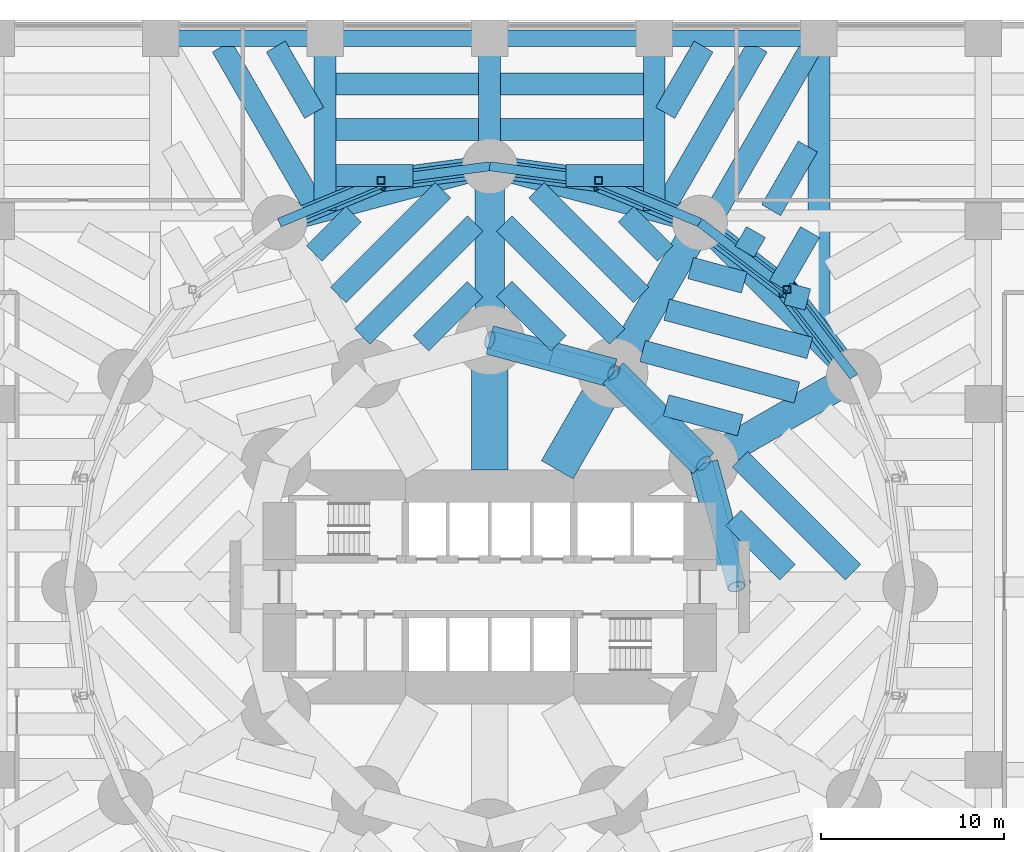
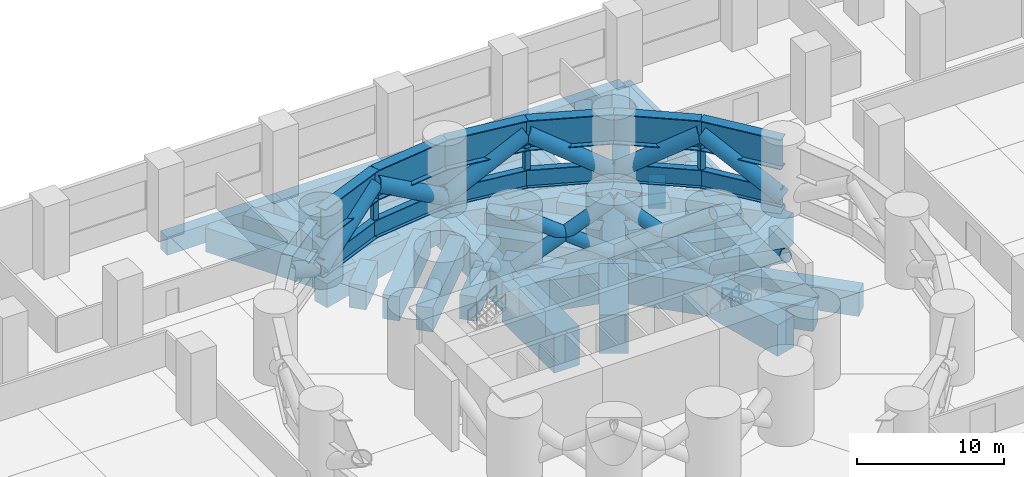
# One storey, part 5 of 14: 60 beams, 14 members.
"""IFC4 building model written with IfcOpenShell, lengths in metres."""

from ifc_helpers import new_model, si_unit, direction, frame, origin, origin_2d, place, context, subcontext, project, spatial, rectangle, hollow_rectangle, hollow_circle, i_section, extrude, material, material_profile, profile_set, type_object, element, save


model = new_model("IFC4")

# Units and contexts
model_context = context("Model", 3, precision=1e-05, world=origin(), true_north=direction((0.0, 1.0)))
body_context = subcontext(model_context, "Body", "Model", "MODEL_VIEW")
ifc_project = project(units=[si_unit("LENGTHUNIT", "METRE"), si_unit("AREAUNIT", "SQUARE_METRE"), si_unit("VOLUMEUNIT", "CUBIC_METRE"), si_unit("PLANEANGLEUNIT", "RADIAN"), si_unit("MASSUNIT", "GRAM", prefix="KILO")], contexts=[model_context])

# Site, building, storey
site_placement = place(None, origin())
site = spatial("IfcSite", under=ifc_project, at=site_placement, CompositionType="ELEMENT")
building_placement = place(site_placement, origin())
building = spatial("IfcBuilding", under=site, at=building_placement, Name="Qaws Media Tower", CompositionType="ELEMENT")
storey_placement = place(building_placement, frame((0.0, 0.0, 20.0)))
storey = spatial("IfcBuildingStorey", under=building, at=storey_placement, Name="L03", CompositionType="ELEMENT", Elevation=20.0)

# Members
ifc_material_1 = material(Name="Steel S355", Category="steel")
ifc_material_profile_1 = material_profile(ifc_material_1, hollow_circle(Radius=0.508056640625, WallThickness=0.050048828125, at=origin_2d()), Name="CHS 1016x50")
ifc_profile_set_1 = profile_set([ifc_material_profile_1], Name="Steel S355")
member_type_1 = type_object("IfcMemberType", Name="Belt truss diagonal CHS 1016x50", PredefinedType="BRACE", material=ifc_profile_set_1)
for number, where, z_axis, x_axis, name in (
    (1, (71.69140625, 56.75, 0.60009765625), (0.217597461166, -0.812113202797, 0.541408801865), (0.965928090778, 0.258810593767, 0.0), "BT1 belt diagonal L03 I02 falling"),
    (2, (71.69140625, 56.75, 0.60009765625), (-0.594509373034, 0.594509373034, 0.541403002162), (-0.707106781187, -0.707106781187, 0.0), "BT1 belt diagonal L03 I02 rising"),
    (3, (66.75, 61.69140625, 0.60009765625), (0.594509373034, -0.594509373034, 0.541403002162), (0.707106781187, 0.707106781187, 0.0), "BT1 belt diagonal L03 I03 falling"),
    (4, (66.75, 61.69140625, 0.60009765625), (-0.812113202797, 0.217597461166, 0.541408801865), (-0.258810593767, -0.965928090778, 0.0), "BT1 belt diagonal L03 I03 rising"),
    (5, (60.0, 63.5, 0.60009765625), (0.812113202797, -0.217597461166, 0.541408801865), (0.258810593767, 0.965928090778, 0.0), "BT1 belt diagonal L03 I04 falling"),
):
    element("IfcMember", number, at=place(storey_placement, frame(where, z_axis=z_axis, x_axis=x_axis)), inside=storey, type_object=member_type_1, Name=name, PredefinedType="BRACE", context=body_context, shape_type="SweptSolid", body=[
        extrude(hollow_circle(Radius=0.508056640625, WallThickness=0.050048828125, at=origin_2d()), origin(), (0.0, 0.0, 1.0), 8.311767578125),
    ])

# Beams
ifc_material_2 = material(Name="Concrete C60/75", Category="concrete")
ifc_material_profile_2 = material_profile(ifc_material_2, rectangle(XDim=2.0, YDim=3.199951171875, at=origin_2d()), Name="RC 2000x3200")
ifc_profile_set_2 = profile_set([ifc_material_profile_2], Name="Concrete C60/75")
beam_type_1 = type_object("IfcBeamType", Name="Podium core beam RC 2000x3200", PredefinedType="BEAM", material=ifc_profile_set_2)
beam_1_placement = place(storey_placement, frame((63.695068359375, 56.39990234375, -1.89990234375), z_axis=(0.49998532359, 0.866033877048, 0.0), x_axis=(-0.866033877048, 0.49998532359, 0.0)))
element("IfcBeam", 6, at=beam_1_placement, inside=storey, type_object=beam_type_1, Name="PB14 beam CORE-I03", PredefinedType="BEAM", context=body_context, shape_type="SweptSolid", body=[
    extrude(rectangle(XDim=2.0, YDim=3.199951171875, at=origin_2d()), origin(), (0.0, 0.0, 1.0), 6.110107421875),
])
beam_2_placement = place(storey_placement, frame((60.0, 56.39990234375, -1.89990234375), z_axis=(0.0, 1.0, 0.0), x_axis=(-1.0, 0.0, 0.0)))
element("IfcBeam", 7, at=beam_2_placement, inside=storey, type_object=beam_type_1, Name="PB14 beam CORE-I04", PredefinedType="BEAM", context=body_context, shape_type="SweptSolid", body=[
    extrude(rectangle(XDim=2.0, YDim=3.199951171875, at=origin_2d()), origin(), (0.0, 0.0, 1.0), 7.10009765625),
])
ifc_material_3 = material(Name="Concrete C60/75", Category="concrete")
ifc_material_profile_3 = material_profile(ifc_material_3, rectangle(XDim=1.199951171875, YDim=2.0, at=origin_2d()), Name="RC 1200x2000")
ifc_profile_set_3 = profile_set([ifc_material_profile_3], Name="Concrete C60/75")
beam_type_2 = type_object("IfcBeamType", Name="Podium long trimmer beam RC 1200x2000", PredefinedType="BEAM", material=ifc_profile_set_3)
beam_3_placement = place(storey_placement, frame((78.0, 80.0, -1.300048828125), z_axis=(0.0, -1.0, 0.0), x_axis=(1.0, 0.0, 0.0)))
element("IfcBeam", 8, at=beam_3_placement, inside=storey, type_object=beam_type_2, Name="PB11 beam 8/G to the tower ring", PredefinedType="BEAM", context=body_context, shape_type="SweptSolid", body=[
    extrude(rectangle(XDim=1.199951171875, YDim=2.0, at=origin_2d()), origin(), (0.0, 0.0, 1.0), 16.581298828125),
])
ifc_material_4 = material(Name="Concrete C60/75", Category="concrete")
ifc_material_profile_4 = material_profile(ifc_material_4, rectangle(XDim=1.199951171875, YDim=2.0, at=origin_2d()), Name="RC 1200x2000")
ifc_profile_set_4 = profile_set([ifc_material_profile_4], Name="Concrete C60/75")
beam_type_3 = type_object("IfcBeamType", Name="Podium plant floor edge beam RC 1200x2000", PredefinedType="BEAM", material=ifc_profile_set_4)
for number, where, z_axis, x_axis, name in (
    (9, (79.918701171875, 61.5, -1.300048828125), (-0.707106781187, 0.707106781187, 0.0), (-0.707106781187, -0.707106781187, 0.0), "PB12 beam M02-M03"),
    (10, (71.5, 69.918701171875, -1.300048828125), (-0.965928280645, 0.258809885148, 0.0), (-0.258809885148, -0.965928280645, 0.0), "PB12 beam M03-M04"),
    (11, (60.0, 73.0, -1.300048828125), (-0.965928280645, -0.258809885148, 0.0), (0.258809885148, -0.965928280645, 0.0), "PB12 beam M04-M05"),
):
    element("IfcBeam", number, at=place(storey_placement, frame(where, z_axis=z_axis, x_axis=x_axis)), inside=storey, type_object=beam_type_3, Name=name, PredefinedType="BEAM", context=body_context, shape_type="SweptSolid", body=[
        extrude(rectangle(XDim=1.199951171875, YDim=2.0, at=origin_2d()), origin(), (0.0, 0.0, 1.0), 11.90576171875),
    ])
ifc_material_5 = material(Name="Concrete C60/75", Category="concrete")
ifc_material_profile_5 = material_profile(ifc_material_5, rectangle(XDim=0.89990234375, YDim=1.5, at=origin_2d()), Name="RC 900x1500")
ifc_profile_set_5 = profile_set([ifc_material_profile_5], Name="Concrete C60/75")
beam_type_4 = type_object("IfcBeamType", Name="Podium plant floor girder RC 900x1500", PredefinedType="BEAM", material=ifc_profile_set_5)
for number, where, z_axis, x_axis, name in (
    (12, (42.0, 80.0, -1.050048828125), (1.0, 0.0, 0.0), (0.0, 1.0, 0.0), "PB6 beam 4-5/G"),
    (13, (51.0, 80.0, -1.050048828125), (1.0, 0.0, 0.0), (0.0, 1.0, 0.0), "PB6 beam 5-6/G"),
    (14, (60.0, 80.0, -1.050048828125), (1.0, 0.0, 0.0), (0.0, 1.0, 0.0), "PB6 beam 6-7/G"),
    (15, (69.0, 80.0, -1.050048828125), (1.0, 0.0, 0.0), (0.0, 1.0, 0.0), "PB6 beam 7-8/G"),
):
    element("IfcBeam", number, at=place(storey_placement, frame(where, z_axis=z_axis, x_axis=x_axis)), inside=storey, type_object=beam_type_4, Name=name, PredefinedType="BEAM", context=body_context, shape_type="SweptSolid", body=[
        extrude(rectangle(XDim=0.89990234375, YDim=1.5, at=origin_2d()), origin(), (0.0, 0.0, 1.0), 9.0),
    ])
ifc_material_6 = material(Name="Concrete C60/75", Category="concrete")
ifc_material_profile_6 = material_profile(ifc_material_6, rectangle(XDim=1.199951171875, YDim=2.0, at=origin_2d()), Name="RC 1200x2000")
ifc_profile_set_6 = profile_set([ifc_material_profile_6], Name="Concrete C60/75")
beam_type_5 = type_object("IfcBeamType", Name="Podium secondary beam RC 1200x2000", PredefinedType="BEAM", material=ifc_profile_set_6)
beam_4_placement = place(storey_placement, frame((50.39990234375, 75.921630859375, -1.300048828125), z_axis=(-0.499974664501, 0.866040030748, 0.0), x_axis=(-0.866040030748, -0.499974664501, 0.0)))
element("IfcBeam", 16, at=beam_4_placement, inside=storey, type_object=beam_type_5, Name="PB7 beam bay 4F line 1", PredefinedType="BEAM", context=body_context, shape_type="SweptSolid", body=[
    extrude(rectangle(XDim=1.199951171875, YDim=2.0, at=origin_2d()), origin(), (0.0, 0.0, 1.0), 4.189697265625),
])
beam_5_placement = place(storey_placement, frame((50.277587890625, 71.01611328125, -1.300048828125), z_axis=(-0.500013403465, 0.866017665152, 0.0), x_axis=(-0.866017665152, -0.500013403465, 0.0)))
element("IfcBeam", 17, at=beam_5_placement, inside=storey, type_object=beam_type_5, Name="PB7 beam bay 4F line 2", PredefinedType="BEAM", context=body_context, shape_type="SweptSolid", body=[
    extrude(rectangle(XDim=1.199951171875, YDim=2.0, at=origin_2d()), origin(), (0.0, 0.0, 1.0), 9.854248046875),
])
beam_6_placement = place(storey_placement, frame((51.60009765625, 72.5, -1.300048828125), z_axis=(1.0, 0.0, 0.0), x_axis=(0.0, 1.0, 0.0)))
element("IfcBeam", 18, at=beam_6_placement, inside=storey, type_object=beam_type_5, Name="PB7 beam bay 5F line 1", PredefinedType="BEAM", context=body_context, shape_type="SweptSolid", body=[
    extrude(rectangle(XDim=1.199951171875, YDim=2.0, at=origin_2d()), origin(), (0.0, 0.0, 1.0), 4.215576171875),
])
for number, where, z_axis, x_axis, name in (
    (19, (51.60009765625, 75.0, -1.300048828125), (1.0, 0.0, 0.0), (0.0, 1.0, 0.0), "PB7 beam bay 5F line 2"),
    (20, (51.60009765625, 77.5, -1.300048828125), (1.0, 0.0, 0.0), (0.0, 1.0, 0.0), "PB7 beam bay 5F line 3"),
):
    element("IfcBeam", number, at=place(storey_placement, frame(where, z_axis=z_axis, x_axis=x_axis)), inside=storey, type_object=beam_type_5, Name=name, PredefinedType="BEAM", context=body_context, shape_type="SweptSolid", body=[
        extrude(rectangle(XDim=1.199951171875, YDim=2.0, at=origin_2d()), origin(), (0.0, 0.0, 1.0), 7.7998046875),
    ])
beam_7_placement = place(storey_placement, frame((64.184326171875, 72.5, -1.300048828125), z_axis=(1.0, 0.0, 0.0), x_axis=(0.0, 1.0, 0.0)))
element("IfcBeam", 21, at=beam_7_placement, inside=storey, type_object=beam_type_5, Name="PB7 beam bay 6F line 1", PredefinedType="BEAM", context=body_context, shape_type="SweptSolid", body=[
    extrude(rectangle(XDim=1.199951171875, YDim=2.0, at=origin_2d()), origin(), (0.0, 0.0, 1.0), 4.215576171875),
])
for number, where, z_axis, x_axis, name in (
    (22, (60.60009765625, 75.0, -1.300048828125), (1.0, 0.0, 0.0), (0.0, 1.0, 0.0), "PB7 beam bay 6F line 2"),
    (23, (60.60009765625, 77.5, -1.300048828125), (1.0, 0.0, 0.0), (0.0, 1.0, 0.0), "PB7 beam bay 6F line 3"),
):
    element("IfcBeam", number, at=place(storey_placement, frame(where, z_axis=z_axis, x_axis=x_axis)), inside=storey, type_object=beam_type_5, Name=name, PredefinedType="BEAM", context=body_context, shape_type="SweptSolid", body=[
        extrude(rectangle(XDim=1.199951171875, YDim=2.0, at=origin_2d()), origin(), (0.0, 0.0, 1.0), 7.7998046875),
    ])
beam_8_placement = place(storey_placement, frame((75.8154296875, 66.45166015625, -1.300048828125), z_axis=(0.499995597562, 0.866027945518, 0.0), x_axis=(-0.866027945518, 0.499995597562, 0.0)))
element("IfcBeam", 24, at=beam_8_placement, inside=storey, type_object=beam_type_5, Name="PB7 beam bay 7E line 1", PredefinedType="BEAM", context=body_context, shape_type="SweptSolid", body=[
    extrude(rectangle(XDim=1.199951171875, YDim=2.0, at=origin_2d()), origin(), (0.0, 0.0, 1.0), 3.404296875),
])
beam_9_placement = place(storey_placement, frame((73.942138671875, 68.324951171875, -1.300048828125), z_axis=(0.500136695225, 0.865946468374, 0.0), x_axis=(-0.865946468374, 0.500136695225, 0.0)))
element("IfcBeam", 25, at=beam_9_placement, inside=storey, type_object=beam_type_5, Name="PB7 beam bay 7E line 2", PredefinedType="BEAM", context=body_context, shape_type="SweptSolid", body=[
    extrude(rectangle(XDim=1.199951171875, YDim=2.0, at=origin_2d()), origin(), (0.0, 0.0, 1.0), 1.241455078125),
])
beam_10_placement = place(storey_placement, frame((75.3916015625, 70.60009765625, -1.300048828125), z_axis=(0.500022371132, 0.86601248742, 0.0), x_axis=(-0.86601248742, 0.500022371132, 0.0)))
element("IfcBeam", 26, at=beam_10_placement, inside=storey, type_object=beam_type_5, Name="PB7 beam bay 7F line 1", PredefinedType="BEAM", context=body_context, shape_type="SweptSolid", body=[
    extrude(rectangle(XDim=1.199951171875, YDim=2.0, at=origin_2d()), origin(), (0.0, 0.0, 1.0), 4.016357421875),
])
beam_11_placement = place(storey_placement, frame((72.43701171875, 70.60009765625, -1.300048828125), z_axis=(0.499998520234, 0.866026258126, 0.0), x_axis=(-0.866026258126, 0.499998520234, 0.0)))
element("IfcBeam", 27, at=beam_11_placement, inside=storey, type_object=beam_type_5, Name="PB7 beam bay 7F line 2", PredefinedType="BEAM", context=body_context, shape_type="SweptSolid", body=[
    extrude(rectangle(XDim=1.199951171875, YDim=2.0, at=origin_2d()), origin(), (0.0, 0.0, 1.0), 10.33447265625),
])
beam_12_placement = place(storey_placement, frame((69.722412109375, 71.01611328125, -1.300048828125), z_axis=(0.500013403465, 0.866017665152, 0.0), x_axis=(-0.866017665152, 0.500013403465, 0.0)))
element("IfcBeam", 28, at=beam_12_placement, inside=storey, type_object=beam_type_5, Name="PB7 beam bay 7F line 3", PredefinedType="BEAM", context=body_context, shape_type="SweptSolid", body=[
    extrude(rectangle(XDim=1.199951171875, YDim=2.0, at=origin_2d()), origin(), (0.0, 0.0, 1.0), 9.854248046875),
])
beam_13_placement = place(storey_placement, frame((69.60009765625, 75.921630859375, -1.300048828125), z_axis=(0.499974664501, 0.866040030748, 0.0), x_axis=(-0.866040030748, 0.499974664501, 0.0)))
element("IfcBeam", 29, at=beam_13_placement, inside=storey, type_object=beam_type_5, Name="PB7 beam bay 7F line 4", PredefinedType="BEAM", context=body_context, shape_type="SweptSolid", body=[
    extrude(rectangle(XDim=1.199951171875, YDim=2.0, at=origin_2d()), origin(), (0.0, 0.0, 1.0), 4.189697265625),
])
beam_14_placement = place(storey_placement, frame((79.867431640625, 50.800048828125, -1.300048828125), z_axis=(-0.707106781187, 0.707106781187, 0.0), x_axis=(-0.707106781187, -0.707106781187, 0.0)))
element("IfcBeam", 30, at=beam_14_placement, inside=storey, type_object=beam_type_5, Name="PB7 beam bay T01 line 3", PredefinedType="BEAM", context=body_context, shape_type="SweptSolid", body=[
    extrude(rectangle(XDim=1.199951171875, YDim=2.0, at=origin_2d()), origin(), (0.0, 0.0, 1.0), 8.73876953125),
])
beam_15_placement = place(storey_placement, frame((76.28369140625, 50.800048828125, -1.300048828125), z_axis=(-0.707106781187, 0.707106781187, 0.0), x_axis=(-0.707106781187, -0.707106781187, 0.0)))
element("IfcBeam", 31, at=beam_15_placement, inside=storey, type_object=beam_type_5, Name="PB7 beam bay T01 line 4", PredefinedType="BEAM", context=body_context, shape_type="SweptSolid", body=[
    extrude(rectangle(XDim=1.199951171875, YDim=2.0, at=origin_2d()), origin(), (0.0, 0.0, 1.0), 4.19189453125),
])
beam_16_placement = place(storey_placement, frame((77.39990234375, 65.714111328125, -1.300048828125), z_axis=(-0.965916206355, 0.258854944518, 0.0), x_axis=(-0.258854944518, -0.965916206355, 0.0)))
element("IfcBeam", 32, at=beam_16_placement, inside=storey, type_object=beam_type_5, Name="PB7 beam bay T02 line 1", PredefinedType="BEAM", context=body_context, shape_type="SweptSolid", body=[
    extrude(rectangle(XDim=1.199951171875, YDim=2.0, at=origin_2d()), origin(), (0.0, 0.0, 1.0), 1.19775390625),
])
beam_17_placement = place(storey_placement, frame((73.924560546875, 66.6455078125, -1.300048828125), z_axis=(-0.965938372983, 0.258772215661, 0.0), x_axis=(-0.258772215661, -0.965938372983, 0.0)))
element("IfcBeam", 33, at=beam_17_placement, inside=storey, type_object=beam_type_5, Name="PB7 beam bay T02 line 2", PredefinedType="BEAM", context=body_context, shape_type="SweptSolid", body=[
    extrude(rectangle(XDim=1.199951171875, YDim=2.0, at=origin_2d()), origin(), (0.0, 0.0, 1.0), 3.039794921875),
])
beam_18_placement = place(storey_placement, frame((77.50830078125, 63.061767578125, -1.300048828125), z_axis=(-0.96592990729, 0.25880381412, 0.0), x_axis=(-0.25880381412, -0.96592990729, 0.0)))
element("IfcBeam", 34, at=beam_18_placement, inside=storey, type_object=beam_type_5, Name="PB7 beam bay T02 line 3", PredefinedType="BEAM", context=body_context, shape_type="SweptSolid", body=[
    extrude(rectangle(XDim=1.199951171875, YDim=2.0, at=origin_2d()), origin(), (0.0, 0.0, 1.0), 8.10791015625),
])
beam_19_placement = place(storey_placement, frame((76.8056640625, 60.62646484375, -1.300048828125), z_axis=(-0.965926352771, 0.258817080236, 0.0), x_axis=(-0.258817080236, -0.965926352771, 0.0)))
element("IfcBeam", 35, at=beam_19_placement, inside=storey, type_object=beam_type_5, Name="PB7 beam bay T02 line 4", PredefinedType="BEAM", context=body_context, shape_type="SweptSolid", body=[
    extrude(rectangle(XDim=1.199951171875, YDim=2.0, at=origin_2d()), origin(), (0.0, 0.0, 1.0), 8.73876953125),
])
beam_20_placement = place(storey_placement, frame((73.7021484375, 58.834716796875, -1.300048828125), z_axis=(-0.96592491418, 0.258822449118, 0.0), x_axis=(-0.258822449118, -0.96592491418, 0.0)))
element("IfcBeam", 36, at=beam_20_placement, inside=storey, type_object=beam_type_5, Name="PB7 beam bay T02 line 5", PredefinedType="BEAM", context=body_context, shape_type="SweptSolid", body=[
    extrude(rectangle(XDim=1.199951171875, YDim=2.0, at=origin_2d()), origin(), (0.0, 0.0, 1.0), 4.19189453125),
])
beam_21_placement = place(storey_placement, frame((69.6025390625, 68.232177734375, -1.300048828125), z_axis=(-0.707066624059, 0.707146936034, 0.0), x_axis=(-0.707146936034, -0.707066624059, 0.0)))
element("IfcBeam", 37, at=beam_21_placement, inside=storey, type_object=beam_type_5, Name="PB7 beam bay T03 line 1", PredefinedType="BEAM", context=body_context, shape_type="SweptSolid", body=[
    extrude(rectangle(XDim=1.199951171875, YDim=2.0, at=origin_2d()), origin(), (0.0, 0.0, 1.0), 3.039794921875),
])
beam_22_placement = place(storey_placement, frame((68.291015625, 65.960205078125, -1.300048828125), z_axis=(-0.707106781187, 0.707106781187, 0.0), x_axis=(-0.707106781187, -0.707106781187, 0.0)))
element("IfcBeam", 38, at=beam_22_placement, inside=storey, type_object=beam_type_5, Name="PB7 beam bay T03 line 2", PredefinedType="BEAM", context=body_context, shape_type="SweptSolid", body=[
    extrude(rectangle(XDim=1.199951171875, YDim=2.0, at=origin_2d()), origin(), (0.0, 0.0, 1.0), 8.108154296875),
])
beam_23_placement = place(storey_placement, frame((66.979248046875, 63.688232421875, -1.300048828125), z_axis=(-0.707106781187, 0.707106781187, 0.0), x_axis=(-0.707106781187, -0.707106781187, 0.0)))
element("IfcBeam", 39, at=beam_23_placement, inside=storey, type_object=beam_type_5, Name="PB7 beam bay T03 line 3", PredefinedType="BEAM", context=body_context, shape_type="SweptSolid", body=[
    extrude(rectangle(XDim=1.199951171875, YDim=2.0, at=origin_2d()), origin(), (0.0, 0.0, 1.0), 8.73876953125),
])
for number, where, z_axis, x_axis, name in (
    (40, (63.76416015625, 63.319580078125, -1.300048828125), (-0.707106781187, 0.707106781187, 0.0), (-0.707106781187, -0.707106781187, 0.0), "PB7 beam bay T03 line 4"),
    (41, (56.23583984375, 63.319580078125, -1.300048828125), (0.707106781187, 0.707106781187, 0.0), (-0.707106781187, 0.707106781187, 0.0), "PB7 beam bay T04 line 1"),
):
    element("IfcBeam", number, at=place(storey_placement, frame(where, z_axis=z_axis, x_axis=x_axis)), inside=storey, type_object=beam_type_5, Name=name, PredefinedType="BEAM", context=body_context, shape_type="SweptSolid", body=[
        extrude(rectangle(XDim=1.199951171875, YDim=2.0, at=origin_2d()), origin(), (0.0, 0.0, 1.0), 4.19189453125),
    ])
beam_24_placement = place(storey_placement, frame((53.020751953125, 63.688232421875, -1.300048828125), z_axis=(0.707106781187, 0.707106781187, 0.0), x_axis=(-0.707106781187, 0.707106781187, 0.0)))
element("IfcBeam", 42, at=beam_24_placement, inside=storey, type_object=beam_type_5, Name="PB7 beam bay T04 line 2", PredefinedType="BEAM", context=body_context, shape_type="SweptSolid", body=[
    extrude(rectangle(XDim=1.199951171875, YDim=2.0, at=origin_2d()), origin(), (0.0, 0.0, 1.0), 8.73876953125),
])
beam_25_placement = place(storey_placement, frame((51.708984375, 65.960205078125, -1.300048828125), z_axis=(0.707106781187, 0.707106781187, 0.0), x_axis=(-0.707106781187, 0.707106781187, 0.0)))
element("IfcBeam", 43, at=beam_25_placement, inside=storey, type_object=beam_type_5, Name="PB7 beam bay T04 line 3", PredefinedType="BEAM", context=body_context, shape_type="SweptSolid", body=[
    extrude(rectangle(XDim=1.199951171875, YDim=2.0, at=origin_2d()), origin(), (0.0, 0.0, 1.0), 8.108154296875),
])
beam_26_placement = place(storey_placement, frame((50.3974609375, 68.232177734375, -1.300048828125), z_axis=(0.707066624059, 0.707146936034, 0.0), x_axis=(-0.707146936034, 0.707066624059, 0.0)))
element("IfcBeam", 44, at=beam_26_placement, inside=storey, type_object=beam_type_5, Name="PB7 beam bay T04 line 4", PredefinedType="BEAM", context=body_context, shape_type="SweptSolid", body=[
    extrude(rectangle(XDim=1.199951171875, YDim=2.0, at=origin_2d()), origin(), (0.0, 0.0, 1.0), 3.039794921875),
])
ifc_material_7 = material(Name="Concrete C60/75", Category="concrete")
ifc_material_profile_7 = material_profile(ifc_material_7, rectangle(XDim=1.60009765625, YDim=2.60009765625, at=origin_2d()), Name="RC 1600x2600")
ifc_profile_set_7 = profile_set([ifc_material_profile_7], Name="Concrete C60/75")
beam_type_6 = type_object("IfcBeamType", Name="Podium tower beam RC 1600x2600", PredefinedType="BEAM", material=ifc_profile_set_7)
beam_27_placement = place(storey_placement, frame((73.5, 50.0, -1.60009765625), z_axis=(-0.258810593767, 0.965928090778, 0.0), x_axis=(-0.965928090778, -0.258810593767, 0.0)))
element("IfcBeam", 45, at=beam_27_placement, inside=storey, type_object=beam_type_6, Name="PB9 beam I01-I02", PredefinedType="BEAM", context=body_context, shape_type="SweptSolid", body=[
    extrude(rectangle(XDim=1.60009765625, YDim=2.60009765625, at=origin_2d()), origin(), (0.0, 0.0, 1.0), 6.988037109375),
])
beam_28_placement = place(storey_placement, frame((71.69140625, 56.75, -1.60009765625), z_axis=(0.86602681393, 0.499997557548, 0.0), x_axis=(-0.499997557548, 0.86602681393, 0.0)))
element("IfcBeam", 46, at=beam_28_placement, inside=storey, type_object=beam_type_6, Name="PB9 beam I02-M02", PredefinedType="BEAM", context=body_context, shape_type="SweptSolid", body=[
    extrude(rectangle(XDim=1.60009765625, YDim=2.60009765625, at=origin_2d()), origin(), (0.0, 0.0, 1.0), 9.5),
])
beam_29_placement = place(storey_placement, frame((71.69140625, 56.75, -1.60009765625), z_axis=(-0.707106781187, 0.707106781187, 0.0), x_axis=(-0.707106781187, -0.707106781187, 0.0)))
element("IfcBeam", 47, at=beam_29_placement, inside=storey, type_object=beam_type_6, Name="PB9 beam I02-I03", PredefinedType="BEAM", context=body_context, shape_type="SweptSolid", body=[
    extrude(rectangle(XDim=1.60009765625, YDim=2.60009765625, at=origin_2d()), origin(), (0.0, 0.0, 1.0), 6.98828125),
])
beam_30_placement = place(storey_placement, frame((66.75, 61.69140625, -1.60009765625), z_axis=(0.499997557548, 0.86602681393, 0.0), x_axis=(-0.86602681393, 0.499997557548, 0.0)))
element("IfcBeam", 48, at=beam_30_placement, inside=storey, type_object=beam_type_6, Name="PB9 beam I03-M03", PredefinedType="BEAM", context=body_context, shape_type="SweptSolid", body=[
    extrude(rectangle(XDim=1.60009765625, YDim=2.60009765625, at=origin_2d()), origin(), (0.0, 0.0, 1.0), 9.5),
])
beam_31_placement = place(storey_placement, frame((66.75, 61.69140625, -1.60009765625), z_axis=(-0.965928090778, 0.258810593767, 0.0), x_axis=(-0.258810593767, -0.965928090778, 0.0)))
element("IfcBeam", 49, at=beam_31_placement, inside=storey, type_object=beam_type_6, Name="PB9 beam I03-I04", PredefinedType="BEAM", context=body_context, shape_type="SweptSolid", body=[
    extrude(rectangle(XDim=1.60009765625, YDim=2.60009765625, at=origin_2d()), origin(), (0.0, 0.0, 1.0), 6.988037109375),
])
beam_32_placement = place(storey_placement, frame((60.0, 63.5, -1.60009765625), z_axis=(0.0, 1.0, 0.0), x_axis=(-1.0, 0.0, 0.0)))
element("IfcBeam", 50, at=beam_32_placement, inside=storey, type_object=beam_type_6, Name="PB9 beam I04-M04", PredefinedType="BEAM", context=body_context, shape_type="SweptSolid", body=[
    extrude(rectangle(XDim=1.60009765625, YDim=2.60009765625, at=origin_2d()), origin(), (0.0, 0.0, 1.0), 9.5),
])
ifc_material_8 = material(Name="Concrete C60/75", Category="concrete")
ifc_material_profile_8 = material_profile(ifc_material_8, rectangle(XDim=1.199951171875, YDim=2.0, at=origin_2d()), Name="RC 1200x2000")
ifc_profile_set_8 = profile_set([ifc_material_profile_8], Name="Concrete C60/75")
beam_type_7 = type_object("IfcBeamType", Name="Podium trimmer beam RC 1200x2000", PredefinedType="BEAM", material=ifc_profile_set_8)
beam_33_placement = place(storey_placement, frame((51.0, 80.0, -1.300048828125), z_axis=(0.0, -1.0, 0.0), x_axis=(1.0, 0.0, 0.0)))
element("IfcBeam", 51, at=beam_33_placement, inside=storey, type_object=beam_type_7, Name="PB4 beam 5/G to the tower ring", PredefinedType="BEAM", context=body_context, shape_type="SweptSolid", body=[
    extrude(rectangle(XDim=1.199951171875, YDim=2.0, at=origin_2d()), origin(), (0.0, 0.0, 1.0), 9.41162109375),
])
beam_34_placement = place(storey_placement, frame((60.0, 80.0, -1.300048828125), z_axis=(0.0, -1.0, 0.0), x_axis=(1.0, 0.0, 0.0)))
element("IfcBeam", 52, at=beam_34_placement, inside=storey, type_object=beam_type_7, Name="PB4 beam 6/G to the tower ring", PredefinedType="BEAM", context=body_context, shape_type="SweptSolid", body=[
    extrude(rectangle(XDim=1.199951171875, YDim=2.0, at=origin_2d()), origin(), (0.0, 0.0, 1.0), 7.0),
])
beam_35_placement = place(storey_placement, frame((69.0, 80.0, -1.300048828125), z_axis=(0.0, -1.0, 0.0), x_axis=(1.0, 0.0, 0.0)))
element("IfcBeam", 53, at=beam_35_placement, inside=storey, type_object=beam_type_7, Name="PB4 beam 7/G to the tower ring", PredefinedType="BEAM", context=body_context, shape_type="SweptSolid", body=[
    extrude(rectangle(XDim=1.199951171875, YDim=2.0, at=origin_2d()), origin(), (0.0, 0.0, 1.0), 9.41162109375),
])
ifc_material_9 = material(Name="Steel S355", Category="steel")
ifc_material_profile_9 = material_profile(ifc_material_9, i_section(OverallWidth=0.5, OverallDepth=1.5, WebThickness=0.02001953125, FlangeThickness=0.0400390625, at=origin_2d()), Name="PG 1500x500")
ifc_profile_set_9 = profile_set([ifc_material_profile_9], Name="Steel S355")
beam_type_8 = type_object("IfcBeamType", Name="Transfer bottom chord PG 1500x500", PredefinedType="BEAM", material=ifc_profile_set_9)
for number, where, z_axis, x_axis, name in (
    (54, (79.918701171875, 61.5, 0.75), (-0.608778912074, 0.793339924758, 0.0), (-0.793339924758, -0.608778912074, 0.0), "TG2 transfer bottom chord N03-N04"),
    (55, (76.263427734375, 66.263427734375, 0.75), (-0.793339924758, 0.608778912074, 0.0), (-0.608778912074, -0.793339924758, 0.0), "TG2 transfer bottom chord N04-N05"),
    (56, (71.5, 69.918701171875, 0.75), (-0.923884511653, 0.382671411433, 0.0), (-0.382671411433, -0.923884511653, 0.0), "TG2 transfer bottom chord N05-N06"),
    (57, (65.952880859375, 72.21630859375, 0.75), (-0.991445297315, 0.130522880875, 0.0), (-0.130522880875, -0.991445297315, 0.0), "TG2 transfer bottom chord N06-N07"),
    (58, (60.0, 73.0, 0.75), (-0.991445297315, -0.130522880875, 0.0), (0.130522880875, -0.991445297315, 0.0), "TG2 transfer bottom chord N07-N08"),
    (59, (54.047119140625, 72.21630859375, 0.75), (-0.923884511653, -0.382671411433, 0.0), (0.382671411433, -0.923884511653, 0.0), "TG2 transfer bottom chord N08-N09"),
):
    element("IfcBeam", number, at=place(storey_placement, frame(where, z_axis=z_axis, x_axis=x_axis)), inside=storey, type_object=beam_type_8, Name=name, PredefinedType="BEAM", context=body_context, shape_type="SweptSolid", body=[
        extrude(i_section(OverallWidth=0.5, OverallDepth=1.5, WebThickness=0.02001953125, FlangeThickness=0.0400390625, at=origin_2d()), origin(), (0.0, 0.0, 1.0), 6.004150390625),
    ])
ifc_material_10 = material(Name="Steel S460", Category="steel")
ifc_material_profile_10 = material_profile(ifc_material_10, i_section(OverallWidth=0.800048828125, OverallDepth=2.5, WebThickness=0.030029296875, FlangeThickness=0.06494140625, at=origin_2d()), Name="PG 2500x800")
ifc_profile_set_10 = profile_set([ifc_material_profile_10], Name="Steel S460")
beam_type_9 = type_object("IfcBeamType", Name="Transfer ring girder PG 2500x800", PredefinedType="BEAM", material=ifc_profile_set_10)
for number, where, z_axis, x_axis, name in (
    (60, (79.918701171875, 61.5, 4.449951171875), (-0.608778912074, 0.793339924758, 0.0), (-0.793339924758, -0.608778912074, 0.0), "TG1 transfer ring girder N03-N04"),
    (61, (76.263427734375, 66.263427734375, 4.449951171875), (-0.793339924758, 0.608778912074, 0.0), (-0.608778912074, -0.793339924758, 0.0), "TG1 transfer ring girder N04-N05"),
    (62, (71.5, 69.918701171875, 4.449951171875), (-0.923884511653, 0.382671411433, 0.0), (-0.382671411433, -0.923884511653, 0.0), "TG1 transfer ring girder N05-N06"),
    (63, (65.952880859375, 72.21630859375, 4.449951171875), (-0.991445297315, 0.130522880875, 0.0), (-0.130522880875, -0.991445297315, 0.0), "TG1 transfer ring girder N06-N07"),
    (64, (60.0, 73.0, 4.449951171875), (-0.991445297315, -0.130522880875, 0.0), (0.130522880875, -0.991445297315, 0.0), "TG1 transfer ring girder N07-N08"),
    (65, (54.047119140625, 72.21630859375, 4.449951171875), (-0.923884511653, -0.382671411433, 0.0), (0.382671411433, -0.923884511653, 0.0), "TG1 transfer ring girder N08-N09"),
):
    element("IfcBeam", number, at=place(storey_placement, frame(where, z_axis=z_axis, x_axis=x_axis)), inside=storey, type_object=beam_type_9, Name=name, PredefinedType="BEAM", context=body_context, shape_type="SweptSolid", body=[
        extrude(i_section(OverallWidth=0.800048828125, OverallDepth=2.5, WebThickness=0.030029296875, FlangeThickness=0.06494140625, at=origin_2d()), origin(), (0.0, 0.0, 1.0), 6.004150390625),
    ])

# Members
ifc_material_11 = material(Name="Steel S460", Category="steel")
ifc_material_profile_11 = material_profile(ifc_material_11, hollow_circle(Radius=0.609619140625, WallThickness=0.06005859375, at=origin_2d()), Name="CHS 1219x60")
ifc_profile_set_11 = profile_set([ifc_material_profile_11], Name="Steel S460")
member_type_2 = type_object("IfcMemberType", Name="Transfer truss diagonal CHS 1219x60", PredefinedType="BRACE", material=ifc_profile_set_11)
for number, where, z_axis, x_axis, name in (
    (66, (79.918701171875, 61.5, 0.75), (-0.518278297177, 0.675402608617, 0.5246131174), (-0.793339924758, -0.608778912074, 0.0), "TT1 transfer diagonal M02a"),
    (67, (71.5, 69.918701171875, 0.75), (0.675402608617, -0.518278297177, 0.5246131174), (0.608778912074, 0.793339924758, 0.0), "TT1 transfer diagonal M02b"),
):
    element("IfcMember", number, at=place(storey_placement, frame(where, z_axis=z_axis, x_axis=x_axis)), inside=storey, type_object=member_type_2, Name=name, PredefinedType="BRACE", context=body_context, shape_type="SweptSolid", body=[
        extrude(hollow_circle(Radius=0.609619140625, WallThickness=0.06005859375, at=origin_2d()), origin(), (0.0, 0.0, 1.0), 7.052734375),
    ])
member_1_placement = place(storey_placement, frame((71.5, 69.918701171875, 0.75), z_axis=(-0.786535320167, 0.32578160724, 0.524622277943), x_axis=(-0.382671411433, -0.923884511653, 0.0)))
element("IfcMember", 68, at=member_1_placement, inside=storey, type_object=member_type_2, Name="TT1 transfer diagonal M03a", PredefinedType="BRACE", context=body_context, shape_type="SweptSolid", body=[
    extrude(hollow_circle(Radius=0.609619140625, WallThickness=0.06005859375, at=origin_2d()), origin(), (0.0, 0.0, 1.0), 7.052490234375),
])
for number, where, z_axis, x_axis, name in (
    (69, (60.0, 73.0, 0.75), (0.844056803129, -0.111119318297, 0.524614725482), (0.130522880875, 0.991445297315, 0.0), "TT1 transfer diagonal M03b"),
    (70, (60.0, 73.0, 0.75), (-0.844056803129, -0.111119318297, 0.524614725482), (0.130522880875, -0.991445297315, 0.0), "TT1 transfer diagonal M04a"),
):
    element("IfcMember", number, at=place(storey_placement, frame(where, z_axis=z_axis, x_axis=x_axis)), inside=storey, type_object=member_type_2, Name=name, PredefinedType="BRACE", context=body_context, shape_type="SweptSolid", body=[
        extrude(hollow_circle(Radius=0.609619140625, WallThickness=0.06005859375, at=origin_2d()), origin(), (0.0, 0.0, 1.0), 7.052734375),
    ])
member_2_placement = place(storey_placement, frame((48.5, 69.918701171875, 0.75), z_axis=(0.786535320167, 0.32578160724, 0.524622277943), x_axis=(-0.382671411433, 0.923884511653, 0.0)))
element("IfcMember", 71, at=member_2_placement, inside=storey, type_object=member_type_2, Name="TT1 transfer diagonal M04b", PredefinedType="BRACE", context=body_context, shape_type="SweptSolid", body=[
    extrude(hollow_circle(Radius=0.609619140625, WallThickness=0.06005859375, at=origin_2d()), origin(), (0.0, 0.0, 1.0), 7.052490234375),
])
ifc_material_12 = material(Name="Steel S355", Category="steel")
ifc_material_profile_12 = material_profile(ifc_material_12, hollow_rectangle(XDim=0.39990234375, YDim=0.39990234375, WallThickness=0.02001953125, at=origin_2d()), Name="SHS 400x400x20")
ifc_profile_set_12 = profile_set([ifc_material_profile_12], Name="Steel S355")
member_type_3 = type_object("IfcMemberType", Name="Transfer truss post SHS 400x400x20", PredefinedType="STRUT", material=ifc_profile_set_12)
for number, where, z_axis, x_axis, name in (
    (72, (76.263427734375, 66.263427734375, 1.5), (0.0, 0.0, 1.0), (1.0, 0.0, 0.0), "TT2 transfer post N04"),
    (73, (65.952880859375, 72.21630859375, 1.5), (0.0, 0.0, 1.0), (1.0, 0.0, 0.0), "TT2 transfer post N06"),
    (74, (54.047119140625, 72.21630859375, 1.5), (0.0, 0.0, 1.0), (1.0, 0.0, 0.0), "TT2 transfer post N08"),
):
    element("IfcMember", number, at=place(storey_placement, frame(where, z_axis=z_axis, x_axis=x_axis)), inside=storey, type_object=member_type_3, Name=name, PredefinedType="STRUT", context=body_context, shape_type="SweptSolid", body=[
        extrude(hollow_rectangle(XDim=0.39990234375, YDim=0.39990234375, WallThickness=0.02001953125, at=origin_2d()), origin(), (0.0, 0.0, 1.0), 2.050048828125),
    ])

save(model, "model.ifc")
